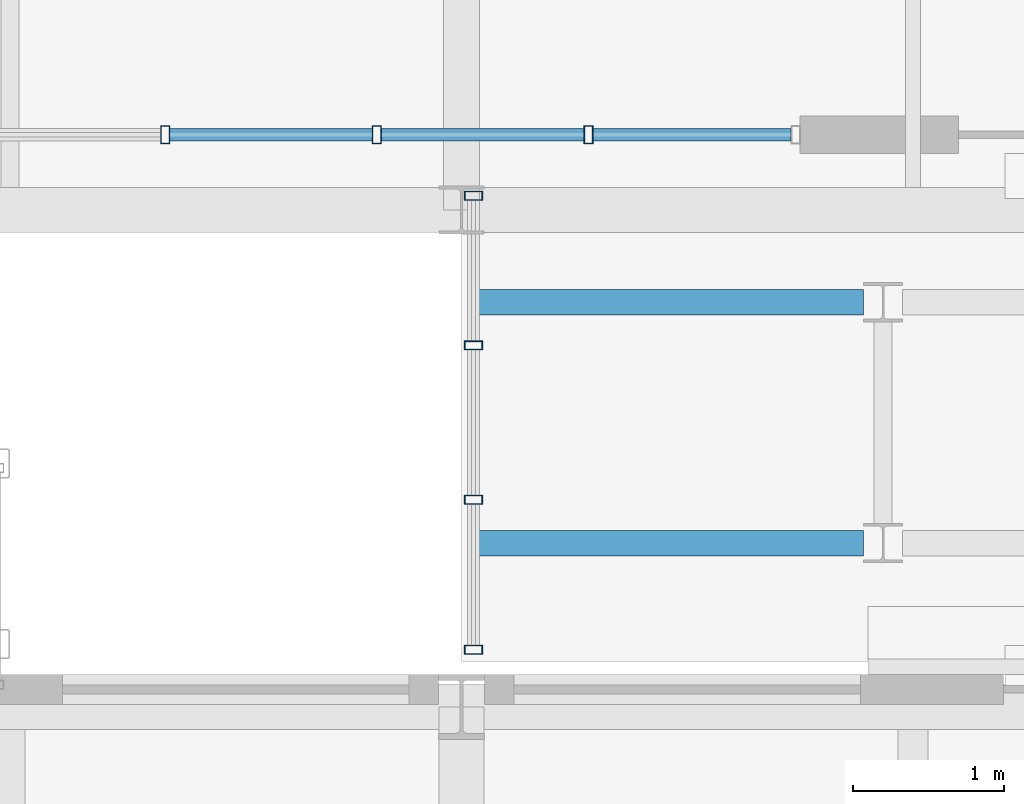
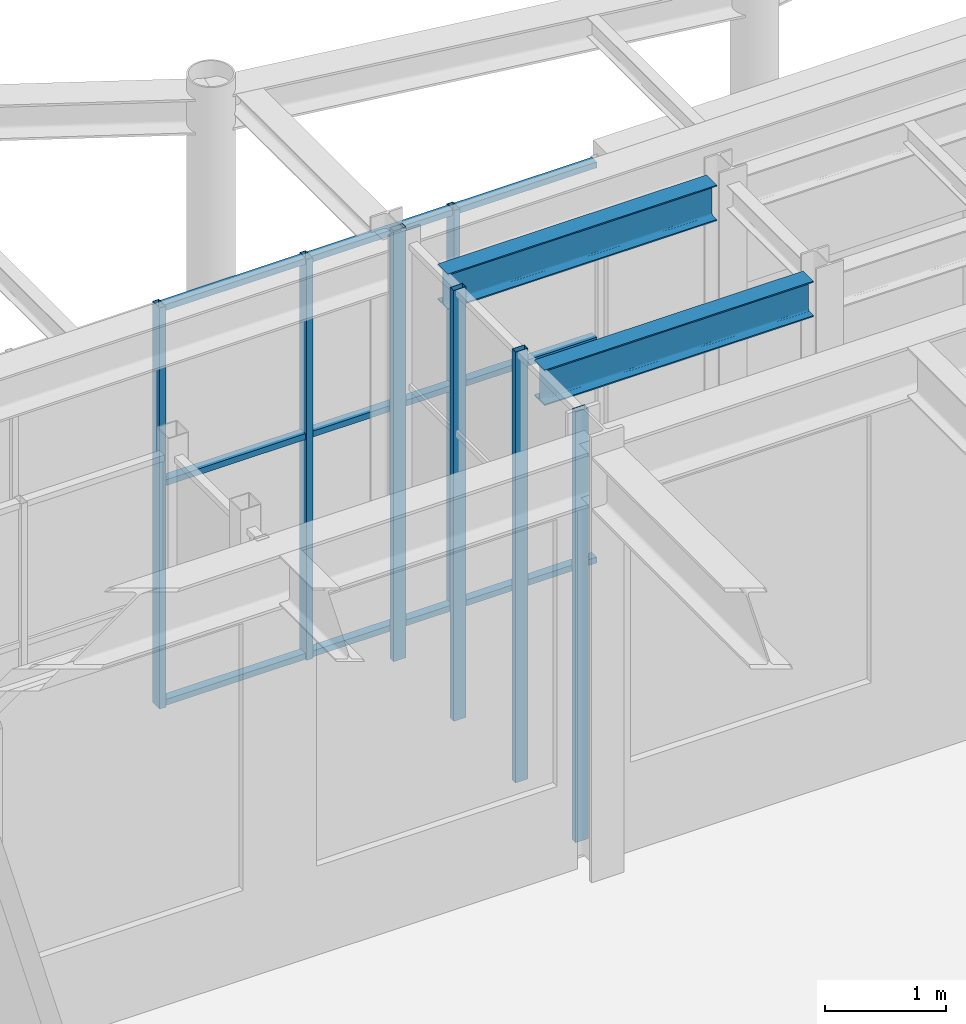
# One storey, part 35 of 111: 16 members, 2 beams, 2 elements without a shape of their own.
"""IFC4 building model written with IfcOpenShell, lengths in metres."""

from ifc_helpers import new_model, si_unit, direction, frame, origin, origin_2d, place, context, subcontext, project, spatial, hollow_rectangle, i_section, extrude, material, layer, layer_set, material_profile, profile_set, type_object, element, aggregate, save


model = new_model("IFC4")

# Units and contexts
model_context = context("Model", 3, precision=1e-05, world=origin(), true_north=direction((0.0, 1.0)))
body_context = subcontext(model_context, "Body", "Model", "MODEL_VIEW")
ifc_project = project(units=[si_unit("LENGTHUNIT", "METRE"), si_unit("AREAUNIT", "SQUARE_METRE"), si_unit("VOLUMEUNIT", "CUBIC_METRE"), si_unit("PLANEANGLEUNIT", "RADIAN"), si_unit("MASSUNIT", "GRAM", prefix="KILO")], contexts=[model_context])

# Site, building, storey
site_placement = place(None, origin())
site = spatial("IfcSite", under=ifc_project, at=site_placement, CompositionType="ELEMENT")
building_placement = place(site_placement, origin())
building = spatial("IfcBuilding", under=site, at=building_placement, Name="Kallimachos Central Library", CompositionType="ELEMENT")
storey_placement = place(building_placement, frame((0.0, 0.0, 14.39990234375)))
storey = spatial("IfcBuildingStorey", under=building, at=storey_placement, Name="L03", CompositionType="ELEMENT", Elevation=14.39990234375)

# Curtain wall, members
ifc_material_1 = material(Name="Aluminium and laminated glass", Category="aluminium")
curtain_wall_type_1 = type_object("IfcCurtainWallType", Name="Link glazed wall", PredefinedType="NOTDEFINED", material=ifc_material_1)
curtain_wall_1_placement = place(storey_placement, origin())
curtain_wall_1 = element("IfcCurtainWall", 1, at=curtain_wall_1_placement, inside=storey, type_object=curtain_wall_type_1, Name="Reading Link glazed wall L03", PredefinedType="NOTDEFINED")
ifc_material_2 = material(Name="Anodised aluminium", Category="aluminium")
ifc_material_profile_1 = material_profile(ifc_material_2, hollow_rectangle(XDim=0.06005859375, YDim=0.1201171875, WallThickness=0.00390625, at=origin_2d()), Name="ALU MULLION 60x120")
ifc_profile_set_1 = profile_set([ifc_material_profile_1], Name="Anodised aluminium")
member_type_1 = type_object("IfcMemberType", Name="ALU MULLION 60x120 mullion", PredefinedType="MULLION", material=ifc_profile_set_1)
member_1_placement = place(storey_placement, frame((83.580078125, 84.22998046875, 0.0), z_axis=(0.0, 0.0, 1.0), x_axis=(0.0, 1.0, 0.0)))
member_1 = element("IfcMember", 2, at=member_1_placement, type_object=member_type_1, Name="CW68 mullion 1", PredefinedType="MULLION", context=body_context, shape_type="SweptSolid", body=[
    extrude(hollow_rectangle(XDim=0.06005859375, YDim=0.1201171875, WallThickness=0.00390625, at=origin_2d()), origin(), (0.0, 0.0, 1.0), 4.35009765625),
])
member_2_placement = place(storey_placement, frame((83.580078125, 85.22509765625, 0.0), z_axis=(0.0, 0.0, 1.0), x_axis=(0.0, 1.0, 0.0)))
member_2 = element("IfcMember", 3, at=member_2_placement, type_object=member_type_1, Name="CW68 mullion 2", PredefinedType="MULLION", context=body_context, shape_type="SweptSolid", body=[
    extrude(hollow_rectangle(XDim=0.06005859375, YDim=0.1201171875, WallThickness=0.00390625, at=origin_2d()), origin(), (0.0, 0.0, 1.0), 4.35009765625),
])
member_3_placement = place(storey_placement, frame((83.580078125, 86.25, 0.0), z_axis=(0.0, 0.0, 1.0), x_axis=(0.0, 1.0, 0.0)))
member_3 = element("IfcMember", 4, at=member_3_placement, type_object=member_type_1, Name="CW68 mullion 3", PredefinedType="MULLION", context=body_context, shape_type="SweptSolid", body=[
    extrude(hollow_rectangle(XDim=0.06005859375, YDim=0.1201171875, WallThickness=0.00390625, at=origin_2d()), origin(), (0.0, 0.0, 1.0), 4.35009765625),
])
member_4_placement = place(storey_placement, frame((83.580078125, 87.2451171875, 0.0), z_axis=(0.0, 0.0, 1.0), x_axis=(0.0, 1.0, 0.0)))
member_4 = element("IfcMember", 5, at=member_4_placement, type_object=member_type_1, Name="CW68 mullion 4", PredefinedType="MULLION", context=body_context, shape_type="SweptSolid", body=[
    extrude(hollow_rectangle(XDim=0.06005859375, YDim=0.1201171875, WallThickness=0.00390625, at=origin_2d()), origin(), (0.0, 0.0, 1.0), 4.35009765625),
])
aggregate(curtain_wall_1, [member_1, member_2, member_3, member_4])

ifc_material_3 = material(Name="Anodised aluminium and laminated glass", Category="aluminium")
ifc_layer = layer(ifc_material_3, 0.159912109375)
ifc_layer_set = layer_set([ifc_layer], Name="Glass box curtain wall")
curtain_wall_type_2 = type_object("IfcCurtainWallType", Name="Glass box curtain wall", PredefinedType="NOTDEFINED", material=ifc_layer_set)
curtain_wall_2_placement = place(storey_placement, origin())
curtain_wall_2 = element("IfcCurtainWall", 6, at=curtain_wall_2_placement, inside=storey, type_object=curtain_wall_type_2, Name="Glass box curtain wall S L03", PredefinedType="NOTDEFINED")
ifc_material_4 = material(Name="Anodised aluminium", Category="aluminium")
ifc_material_profile_2 = material_profile(ifc_material_4, hollow_rectangle(XDim=0.06005859375, YDim=0.1201171875, WallThickness=0.00390625, at=origin_2d()), Name="ALU MULLION 60x120")
ifc_profile_set_2 = profile_set([ifc_material_profile_2], Name="Anodised aluminium")
member_type_2 = type_object("IfcMemberType", Name="Glass box mullion 60x120", PredefinedType="MULLION", material=ifc_profile_set_2)
member_5_placement = place(storey_placement, frame((81.53125, 87.64990234375, 0.0), z_axis=(0.0, 0.0, 1.0), x_axis=(1.0, 0.0, 0.0)))
member_5 = element("IfcMember", 7, at=member_5_placement, type_object=member_type_2, Name="CW21 mullion 6", PredefinedType="MULLION", context=body_context, shape_type="SweptSolid", body=[
    extrude(hollow_rectangle(XDim=0.06005859375, YDim=0.1201171875, WallThickness=0.00390625, at=origin_2d()), origin(), (0.0, 0.0, 1.0), 4.050048828125),
])
member_6_placement = place(storey_placement, frame((82.9375, 87.64990234375, 0.0), z_axis=(0.0, 0.0, 1.0), x_axis=(1.0, 0.0, 0.0)))
member_6 = element("IfcMember", 8, at=member_6_placement, type_object=member_type_2, Name="CW21 mullion 7", PredefinedType="MULLION", context=body_context, shape_type="SweptSolid", body=[
    extrude(hollow_rectangle(XDim=0.06005859375, YDim=0.1201171875, WallThickness=0.00390625, at=origin_2d()), origin(), (0.0, 0.0, 1.0), 4.050048828125),
])
member_7_placement = place(storey_placement, frame((84.34375, 87.64990234375, 0.0), z_axis=(0.0, 0.0, 1.0), x_axis=(1.0, 0.0, 0.0)))
member_7 = element("IfcMember", 9, at=member_7_placement, type_object=member_type_2, Name="CW21 mullion 8", PredefinedType="MULLION", context=body_context, shape_type="SweptSolid", body=[
    extrude(hollow_rectangle(XDim=0.06005859375, YDim=0.1201171875, WallThickness=0.00390625, at=origin_2d()), origin(), (0.0, 0.0, 1.0), 4.050048828125),
])
ifc_material_5 = material(Name="Anodised aluminium", Category="aluminium")
ifc_material_profile_3 = material_profile(ifc_material_5, hollow_rectangle(XDim=0.06005859375, YDim=0.080078125, WallThickness=0.00390625, at=origin_2d()), Name="ALU TRANSOM 60x80")
ifc_profile_set_3 = profile_set([ifc_material_profile_3], Name="Anodised aluminium")
member_type_3 = type_object("IfcMemberType", Name="Glass box transom 60x80", PredefinedType="USERDEFINED", material=ifc_profile_set_3)
member_8_placement = place(storey_placement, frame((81.561279296875, 87.64990234375, 0.030029296875), z_axis=(1.0, 0.0, 0.0), x_axis=(0.0, 0.0, 1.0)))
member_8 = element("IfcMember", 10, at=member_8_placement, type_object=member_type_3, Name="CW21 transom 6.1", ObjectType="TRANSOM", PredefinedType="USERDEFINED", context=body_context, shape_type="SweptSolid", body=[
    extrude(hollow_rectangle(XDim=0.06005859375, YDim=0.080078125, WallThickness=0.00390625, at=origin_2d()), origin(), (0.0, 0.0, 1.0), 1.34619140625),
])
member_9_placement = place(storey_placement, frame((81.561279296875, 87.64990234375, 2.25), z_axis=(1.0, 0.0, 0.0), x_axis=(0.0, 0.0, 1.0)))
member_9 = element("IfcMember", 11, at=member_9_placement, type_object=member_type_3, Name="CW21 transom 6.2", ObjectType="TRANSOM", PredefinedType="USERDEFINED", context=body_context, shape_type="SweptSolid", body=[
    extrude(hollow_rectangle(XDim=0.06005859375, YDim=0.080078125, WallThickness=0.00390625, at=origin_2d()), origin(), (0.0, 0.0, 1.0), 1.34619140625),
])
member_10_placement = place(storey_placement, frame((81.561279296875, 87.64990234375, 4.02001953125), z_axis=(1.0, 0.0, 0.0), x_axis=(0.0, 0.0, 1.0)))
member_10 = element("IfcMember", 12, at=member_10_placement, type_object=member_type_3, Name="CW21 transom 6.3", ObjectType="TRANSOM", PredefinedType="USERDEFINED", context=body_context, shape_type="SweptSolid", body=[
    extrude(hollow_rectangle(XDim=0.06005859375, YDim=0.080078125, WallThickness=0.00390625, at=origin_2d()), origin(), (0.0, 0.0, 1.0), 1.34619140625),
])
member_11_placement = place(storey_placement, frame((82.967529296875, 87.64990234375, 0.030029296875), z_axis=(1.0, 0.0, 0.0), x_axis=(0.0, 0.0, 1.0)))
member_11 = element("IfcMember", 13, at=member_11_placement, type_object=member_type_3, Name="CW21 transom 7.1", ObjectType="TRANSOM", PredefinedType="USERDEFINED", context=body_context, shape_type="SweptSolid", body=[
    extrude(hollow_rectangle(XDim=0.06005859375, YDim=0.080078125, WallThickness=0.00390625, at=origin_2d()), origin(), (0.0, 0.0, 1.0), 1.34619140625),
])
member_12_placement = place(storey_placement, frame((82.967529296875, 87.64990234375, 2.25), z_axis=(1.0, 0.0, 0.0), x_axis=(0.0, 0.0, 1.0)))
member_12 = element("IfcMember", 14, at=member_12_placement, type_object=member_type_3, Name="CW21 transom 7.2", ObjectType="TRANSOM", PredefinedType="USERDEFINED", context=body_context, shape_type="SweptSolid", body=[
    extrude(hollow_rectangle(XDim=0.06005859375, YDim=0.080078125, WallThickness=0.00390625, at=origin_2d()), origin(), (0.0, 0.0, 1.0), 1.34619140625),
])
member_13_placement = place(storey_placement, frame((82.967529296875, 87.64990234375, 4.02001953125), z_axis=(1.0, 0.0, 0.0), x_axis=(0.0, 0.0, 1.0)))
member_13 = element("IfcMember", 15, at=member_13_placement, type_object=member_type_3, Name="CW21 transom 7.3", ObjectType="TRANSOM", PredefinedType="USERDEFINED", context=body_context, shape_type="SweptSolid", body=[
    extrude(hollow_rectangle(XDim=0.06005859375, YDim=0.080078125, WallThickness=0.00390625, at=origin_2d()), origin(), (0.0, 0.0, 1.0), 1.34619140625),
])
member_14_placement = place(storey_placement, frame((84.373779296875, 87.64990234375, 0.030029296875), z_axis=(1.0, 0.0, 0.0), x_axis=(0.0, 0.0, 1.0)))
member_14 = element("IfcMember", 16, at=member_14_placement, type_object=member_type_3, Name="CW21 transom 8.1", ObjectType="TRANSOM", PredefinedType="USERDEFINED", context=body_context, shape_type="SweptSolid", body=[
    extrude(hollow_rectangle(XDim=0.06005859375, YDim=0.080078125, WallThickness=0.00390625, at=origin_2d()), origin(), (0.0, 0.0, 1.0), 1.316162109375),
])
member_15_placement = place(storey_placement, frame((84.373779296875, 87.64990234375, 2.25), z_axis=(1.0, 0.0, 0.0), x_axis=(0.0, 0.0, 1.0)))
member_15 = element("IfcMember", 17, at=member_15_placement, type_object=member_type_3, Name="CW21 transom 8.2", ObjectType="TRANSOM", PredefinedType="USERDEFINED", context=body_context, shape_type="SweptSolid", body=[
    extrude(hollow_rectangle(XDim=0.06005859375, YDim=0.080078125, WallThickness=0.00390625, at=origin_2d()), origin(), (0.0, 0.0, 1.0), 1.316162109375),
])
member_16_placement = place(storey_placement, frame((84.373779296875, 87.64990234375, 4.02001953125), z_axis=(1.0, 0.0, 0.0), x_axis=(0.0, 0.0, 1.0)))
member_16 = element("IfcMember", 18, at=member_16_placement, type_object=member_type_3, Name="CW21 transom 8.3", ObjectType="TRANSOM", PredefinedType="USERDEFINED", context=body_context, shape_type="SweptSolid", body=[
    extrude(hollow_rectangle(XDim=0.06005859375, YDim=0.080078125, WallThickness=0.00390625, at=origin_2d()), origin(), (0.0, 0.0, 1.0), 1.316162109375),
])
aggregate(curtain_wall_2, [member_5, member_6, member_7, member_8, member_9, member_10, member_11, member_12, member_13, member_14, member_15, member_16])

# Beams
ifc_material_6 = material(Name="Steel S355J2", Category="steel")
ifc_material_profile_4 = material_profile(ifc_material_6, i_section(OverallWidth=0.169921875, OverallDepth=0.360107421875, WebThickness=0.008056640625, FlangeThickness=0.0126953125, FilletRadius=0.01806640625, at=origin_2d()), Name="IPE 360")
ifc_profile_set_4 = profile_set([ifc_material_profile_4], Name="Steel S355J2")
beam_type = type_object("IfcBeamType", Name="IPE 360 beam", PredefinedType="BEAM", material=ifc_profile_set_4)
for number, where, z_axis, x_axis, name in (
    (19, (83.60009765625, 84.9375, 4.170166015625), (1.0, 0.0, 0.0), (0.0, 1.0, 0.0), "links-BEM-L03-001"),
    (20, (83.60009765625, 86.53759765625, 4.170166015625), (1.0, 0.0, 0.0), (0.0, 1.0, 0.0), "links-BEM-L03-004"),
):
    element("IfcBeam", number, at=place(storey_placement, frame(where, z_axis=z_axis, x_axis=x_axis)), inside=storey, type_object=beam_type, Name=name, PredefinedType="BEAM", context=body_context, shape_type="SweptSolid", body=[
        extrude(i_section(OverallWidth=0.169921875, OverallDepth=0.360107421875, WebThickness=0.008056640625, FlangeThickness=0.0126953125, FilletRadius=0.01806640625, at=origin_2d()), origin(), (0.0, 0.0, 1.0), 2.56982421875),
    ])

save(model, "model.ifc")
